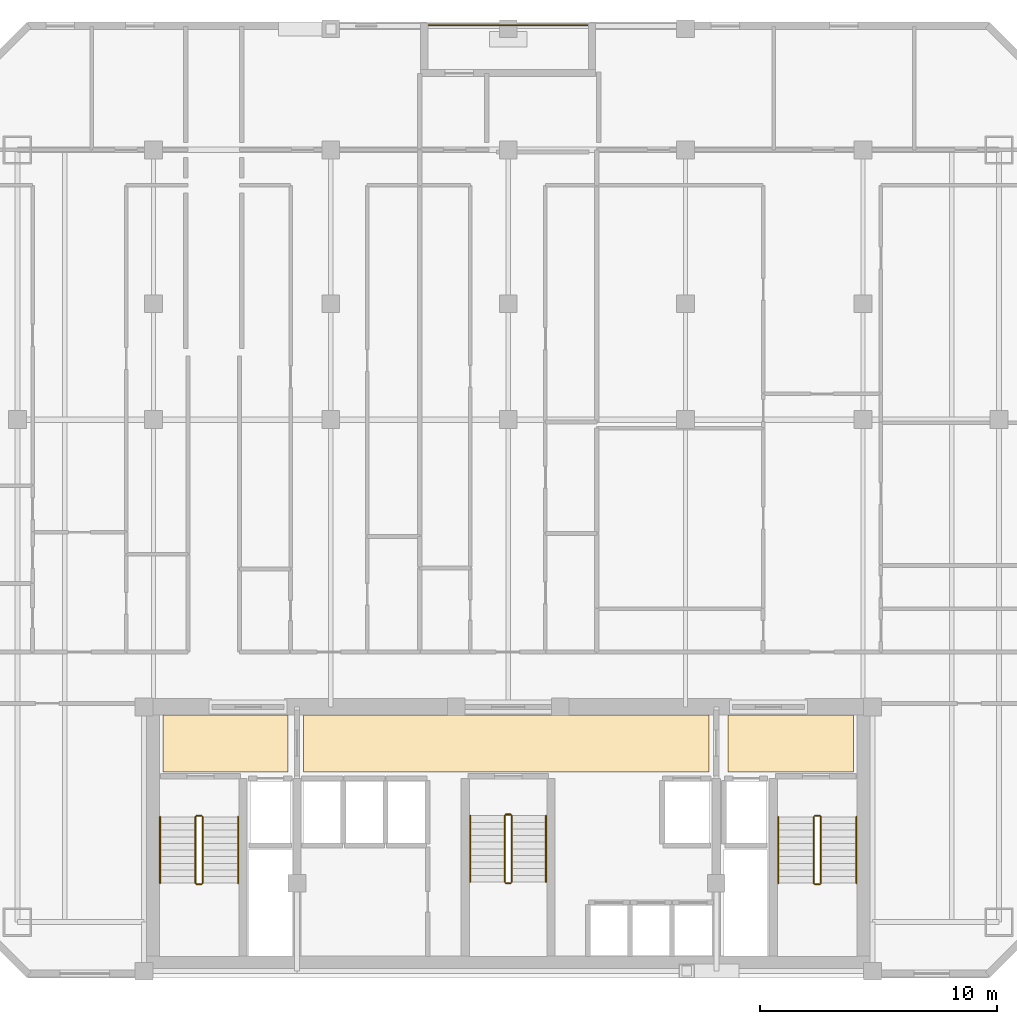
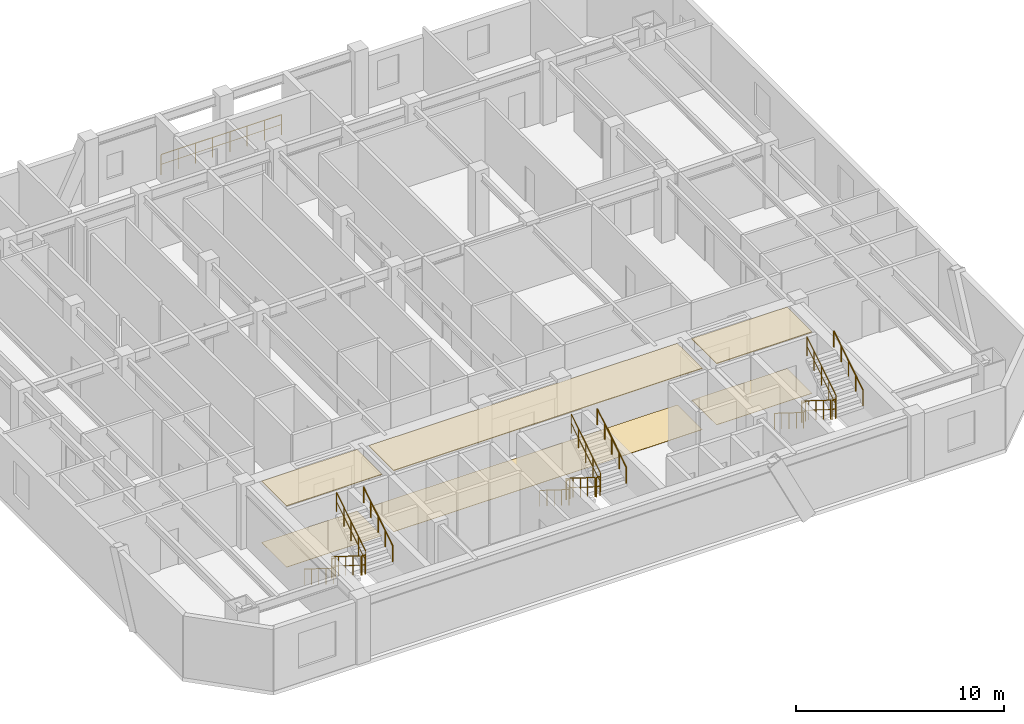
# One storey, part 8 of 8: 19 railings, 6 coverings.
"""IFC4 building model written with IfcOpenShell, lengths in metres."""

from ifc_helpers import new_model, si_unit, direction, frame, origin, origin_2d, place, context, subcontext, project, spatial, polyline, circle, outline, extrude, material, layer, layer_set, type_object, element, save


model = new_model("IFC4")

# Units and contexts
model_context = context("Model", 3, precision=1e-05, world=origin(), true_north=direction((0.0, 1.0)))
body_context = subcontext(model_context, "Body", "Model", "MODEL_VIEW")
ifc_project = project(units=[si_unit("LENGTHUNIT", "METRE"), si_unit("AREAUNIT", "SQUARE_METRE"), si_unit("VOLUMEUNIT", "CUBIC_METRE"), si_unit("PLANEANGLEUNIT", "RADIAN"), si_unit("MASSUNIT", "GRAM", prefix="KILO")], contexts=[model_context])

# Site, building, storey
site_placement = place(None, origin())
site = spatial("IfcSite", under=ifc_project, at=site_placement, CompositionType="ELEMENT")
building_placement = place(site_placement, origin())
building = spatial("IfcBuilding", under=site, at=building_placement, Name="Ventersveld Concourse Tower", CompositionType="ELEMENT")
storey_placement = place(building_placement, frame((0.0, 0.0, 168.300048828125)))
storey = spatial("IfcBuildingStorey", under=building, at=storey_placement, Name="L41", CompositionType="ELEMENT", Elevation=168.300048828125)

# Coverings
ifc_material_1 = material(Name="Mineral-fibre acoustic ceiling tile", Category="gypsum")
ifc_layer_1 = layer(ifc_material_1, 0.0400390625)
ifc_layer_set_1 = layer_set([ifc_layer_1], Name="Mineral-fibre acoustic ceiling tile")
covering_type_1 = type_object("IfcCoveringType", Name="COV-CEIL-ACOUSTIC", PredefinedType="CEILING", material=ifc_layer_set_1)
covering_1_placement = place(storey_placement, frame((0.0, 0.0, 3.58984375)))
element("IfcCovering", 1, at=covering_1_placement, inside=storey, type_object=covering_type_1, Name="L41 North Lift Lobby Acoustic Ceiling", PredefinedType="CEILING", context=body_context, shape_type="SweptSolid", body=[
    extrude(outline(polyline([(20.10009765625, 8.699951171875), (37.25, 8.699951171875), (37.25, 11.10009765625), (20.10009765625, 11.10009765625), (20.10009765625, 8.699951171875)])), origin(), (0.0, 0.0, 1.0), 0.0400390625),
])
covering_2_placement = place(storey_placement, frame((0.0, 0.0, 3.58984375)))
element("IfcCovering", 2, at=covering_2_placement, inside=storey, type_object=covering_type_1, Name="L41 West Firefighting Lobby Acoustic Ceiling", PredefinedType="CEILING", context=body_context, shape_type="SweptSolid", body=[
    extrude(outline(polyline([(14.14990234375, 8.699951171875), (19.449951171875, 8.699951171875), (19.449951171875, 11.10009765625), (14.14990234375, 11.10009765625), (14.14990234375, 8.699951171875)])), origin(), (0.0, 0.0, 1.0), 0.0400390625),
])
covering_3_placement = place(storey_placement, frame((0.0, 0.0, 3.58984375)))
element("IfcCovering", 3, at=covering_3_placement, inside=storey, type_object=covering_type_1, Name="L41 East Firefighting Lobby Acoustic Ceiling", PredefinedType="CEILING", context=body_context, shape_type="SweptSolid", body=[
    extrude(outline(polyline([(38.050048828125, 8.699951171875), (43.35009765625, 8.699951171875), (43.35009765625, 11.10009765625), (38.050048828125, 11.10009765625), (38.050048828125, 8.699951171875)])), origin(), (0.0, 0.0, 1.0), 0.0400390625),
])
ifc_material_2 = material(Name="Polished Highveld granite terrazzo", Category="masonry")
ifc_layer_2 = layer(ifc_material_2, 0.02001953125)
ifc_layer_set_2 = layer_set([ifc_layer_2], Name="Polished Highveld granite terrazzo")
covering_type_2 = type_object("IfcCoveringType", Name="COV-FLOOR-TERRAZZO", PredefinedType="FLOORING", material=ifc_layer_set_2)
covering_4_placement = place(storey_placement, origin())
element("IfcCovering", 4, at=covering_4_placement, inside=storey, type_object=covering_type_2, Name="L41 North Lift Lobby Terrazzo Flooring", PredefinedType="FLOORING", context=body_context, shape_type="SweptSolid", body=[
    extrude(outline(polyline([(20.10009765625, 8.699951171875), (37.25, 8.699951171875), (37.25, 11.10009765625), (20.10009765625, 11.10009765625), (20.10009765625, 8.699951171875)])), origin(), (0.0, 0.0, 1.0), 0.02001953125),
])
covering_5_placement = place(storey_placement, origin())
element("IfcCovering", 5, at=covering_5_placement, inside=storey, type_object=covering_type_2, Name="L41 West Firefighting Lobby Terrazzo Flooring", PredefinedType="FLOORING", context=body_context, shape_type="SweptSolid", body=[
    extrude(outline(polyline([(14.14990234375, 8.699951171875), (19.449951171875, 8.699951171875), (19.449951171875, 11.10009765625), (14.14990234375, 11.10009765625), (14.14990234375, 8.699951171875)])), origin(), (0.0, 0.0, 1.0), 0.02001953125),
])
covering_6_placement = place(storey_placement, origin())
element("IfcCovering", 6, at=covering_6_placement, inside=storey, type_object=covering_type_2, Name="L41 East Firefighting Lobby Terrazzo Flooring", PredefinedType="FLOORING", context=body_context, shape_type="SweptSolid", body=[
    extrude(outline(polyline([(38.050048828125, 8.699951171875), (43.35009765625, 8.699951171875), (43.35009765625, 11.10009765625), (38.050048828125, 11.10009765625), (38.050048828125, 8.699951171875)])), origin(), (0.0, 0.0, 1.0), 0.02001953125),
])

# Railings
ifc_material_3 = material(Name="Brushed stainless steel 316", Category="steel")
railing_type_1 = type_object("IfcRailingType", Name="GD-BAL-115", PredefinedType="GUARDRAIL", material=ifc_material_3)
railing_1_placement = place(storey_placement, frame((15.530029296875, 6.800048828125, 0.175048828125)))
element("IfcRailing", 7, at=railing_1_placement, inside=storey, type_object=railing_type_1, Name="L41 ST-01 stair guard 1", PredefinedType="GUARDRAIL", context=body_context, shape_type="SweptSolid", body=[
    extrude(circle(Radius=0.02392578125, at=origin_2d()), frame((0.0, 0.0, 1.1259765625), z_axis=(0.0, -0.848002457836, 0.529992293815), x_axis=(1.0, 0.0, 0.0)), (0.0, 0.0, 1.0), 3.302001953125),
    extrude(circle(Radius=0.01611328125, at=origin_2d()), frame((0.0, 0.0, 0.574951171875), z_axis=(0.0, -0.848002457836, 0.529992293815), x_axis=(1.0, 0.0, 0.0)), (0.0, 0.0, 1.0), 3.302001953125),
    extrude(circle(Radius=0.02099609375, at=origin_2d()), origin(), (0.0, 0.0, 1.0), 1.101806640625),
    extrude(circle(Radius=0.02099609375, at=origin_2d()), frame((0.0, -0.699951171875, 0.4375)), (0.0, 0.0, 1.0), 1.101806640625),
    extrude(circle(Radius=0.02099609375, at=origin_2d()), frame((0.0, -1.39990234375, 0.875)), (0.0, 0.0, 1.0), 1.101806640625),
    extrude(circle(Radius=0.02099609375, at=origin_2d()), frame((0.0, -2.10009765625, 1.3125)), (0.0, 0.0, 1.0), 1.101806640625),
    extrude(circle(Radius=0.02099609375, at=origin_2d()), frame((0.0, -2.800048828125, 1.75)), (0.0, 0.0, 1.0), 1.101806640625),
])
railing_2_placement = place(storey_placement, frame((15.580078125, 3.949951171875, 1.925048828125)))
element("IfcRailing", 8, at=railing_2_placement, inside=storey, type_object=railing_type_1, Name="L41 ST-01 stair guard 2", PredefinedType="GUARDRAIL", context=body_context, shape_type="SweptSolid", body=[
    extrude(circle(Radius=0.02392578125, at=origin_2d()), frame((0.0, 0.0, 1.1259765625), z_axis=(1.0, 0.0, 0.0), x_axis=(0.0, 1.0, 0.0)), (0.0, 0.0, 1.0), 0.199951171875),
    extrude(circle(Radius=0.01611328125, at=origin_2d()), frame((0.0, 0.0, 0.574951171875), z_axis=(1.0, 0.0, 0.0), x_axis=(0.0, 1.0, 0.0)), (0.0, 0.0, 1.0), 0.199951171875),
    extrude(circle(Radius=0.02099609375, at=origin_2d()), origin(), (0.0, 0.0, 1.0), 1.101806640625),
    extrude(circle(Radius=0.02099609375, at=origin_2d()), frame((0.199951171875, 0.0, 0.0)), (0.0, 0.0, 1.0), 1.101806640625),
])
railing_3_placement = place(storey_placement, frame((15.830078125, 4.0, 2.099853515625)))
element("IfcRailing", 9, at=railing_3_placement, inside=storey, type_object=railing_type_1, Name="L41 ST-01 stair guard 3", PredefinedType="GUARDRAIL", context=body_context, shape_type="SweptSolid", body=[
    extrude(circle(Radius=0.02392578125, at=origin_2d()), frame((0.0, 0.0, 1.1259765625), z_axis=(0.0, 0.848002457836, 0.529992293815), x_axis=(-1.0, 0.0, 0.0)), (0.0, 0.0, 1.0), 3.302001953125),
    extrude(circle(Radius=0.01611328125, at=origin_2d()), frame((0.0, 0.0, 0.574951171875), z_axis=(0.0, 0.848002457836, 0.529992293815), x_axis=(-1.0, 0.0, 0.0)), (0.0, 0.0, 1.0), 3.302001953125),
    extrude(circle(Radius=0.02099609375, at=origin_2d()), origin(), (0.0, 0.0, 1.0), 1.101806640625),
    extrude(circle(Radius=0.02099609375, at=origin_2d()), frame((0.0, 0.699951171875, 0.4375)), (0.0, 0.0, 1.0), 1.101806640625),
    extrude(circle(Radius=0.02099609375, at=origin_2d()), frame((0.0, 1.39990234375, 0.875)), (0.0, 0.0, 1.0), 1.101806640625),
    extrude(circle(Radius=0.02099609375, at=origin_2d()), frame((0.0, 2.10009765625, 1.3125)), (0.0, 0.0, 1.0), 1.101806640625),
    extrude(circle(Radius=0.02099609375, at=origin_2d()), frame((0.0, 2.800048828125, 1.75)), (0.0, 0.0, 1.0), 1.101806640625),
])
railing_4_placement = place(storey_placement, frame((15.580078125, 6.85009765625, 0.0)))
element("IfcRailing", 10, at=railing_4_placement, inside=storey, type_object=railing_type_1, Name="L41 ST-01 stair guard 4", PredefinedType="GUARDRAIL", context=body_context, shape_type="SweptSolid", body=[
    extrude(circle(Radius=0.02392578125, at=origin_2d()), frame((0.0, 0.0, 1.1259765625), z_axis=(1.0, 0.0, 0.0), x_axis=(0.0, 1.0, 0.0)), (0.0, 0.0, 1.0), 0.199951171875),
    extrude(circle(Radius=0.01611328125, at=origin_2d()), frame((0.0, 0.0, 0.574951171875), z_axis=(1.0, 0.0, 0.0), x_axis=(0.0, 1.0, 0.0)), (0.0, 0.0, 1.0), 0.199951171875),
    extrude(circle(Radius=0.02099609375, at=origin_2d()), origin(), (0.0, 0.0, 1.0), 1.101806640625),
    extrude(circle(Radius=0.02099609375, at=origin_2d()), frame((0.199951171875, 0.0, 0.0)), (0.0, 0.0, 1.0), 1.101806640625),
])
railing_5_placement = place(storey_placement, frame((41.669921875, 6.800048828125, 0.175048828125)))
element("IfcRailing", 11, at=railing_5_placement, inside=storey, type_object=railing_type_1, Name="L41 ST-02 stair guard 1", PredefinedType="GUARDRAIL", context=body_context, shape_type="SweptSolid", body=[
    extrude(circle(Radius=0.02392578125, at=origin_2d()), frame((0.0, 0.0, 1.1259765625), z_axis=(0.0, -0.848002457836, 0.529992293815), x_axis=(1.0, 0.0, 0.0)), (0.0, 0.0, 1.0), 3.302001953125),
    extrude(circle(Radius=0.01611328125, at=origin_2d()), frame((0.0, 0.0, 0.574951171875), z_axis=(0.0, -0.848002457836, 0.529992293815), x_axis=(1.0, 0.0, 0.0)), (0.0, 0.0, 1.0), 3.302001953125),
    extrude(circle(Radius=0.02099609375, at=origin_2d()), origin(), (0.0, 0.0, 1.0), 1.101806640625),
    extrude(circle(Radius=0.02099609375, at=origin_2d()), frame((0.0, -0.699951171875, 0.4375)), (0.0, 0.0, 1.0), 1.101806640625),
    extrude(circle(Radius=0.02099609375, at=origin_2d()), frame((0.0, -1.39990234375, 0.875)), (0.0, 0.0, 1.0), 1.101806640625),
    extrude(circle(Radius=0.02099609375, at=origin_2d()), frame((0.0, -2.10009765625, 1.3125)), (0.0, 0.0, 1.0), 1.101806640625),
    extrude(circle(Radius=0.02099609375, at=origin_2d()), frame((0.0, -2.800048828125, 1.75)), (0.0, 0.0, 1.0), 1.101806640625),
])
railing_6_placement = place(storey_placement, frame((41.719970703125, 3.949951171875, 1.925048828125)))
element("IfcRailing", 12, at=railing_6_placement, inside=storey, type_object=railing_type_1, Name="L41 ST-02 stair guard 2", PredefinedType="GUARDRAIL", context=body_context, shape_type="SweptSolid", body=[
    extrude(circle(Radius=0.02392578125, at=origin_2d()), frame((0.0, 0.0, 1.1259765625), z_axis=(1.0, 0.0, 0.0), x_axis=(0.0, 1.0, 0.0)), (0.0, 0.0, 1.0), 0.199951171875),
    extrude(circle(Radius=0.01611328125, at=origin_2d()), frame((0.0, 0.0, 0.574951171875), z_axis=(1.0, 0.0, 0.0), x_axis=(0.0, 1.0, 0.0)), (0.0, 0.0, 1.0), 0.199951171875),
    extrude(circle(Radius=0.02099609375, at=origin_2d()), origin(), (0.0, 0.0, 1.0), 1.101806640625),
    extrude(circle(Radius=0.02099609375, at=origin_2d()), frame((0.199951171875, 0.0, 0.0)), (0.0, 0.0, 1.0), 1.101806640625),
])
railing_7_placement = place(storey_placement, frame((41.969970703125, 4.0, 2.099853515625)))
element("IfcRailing", 13, at=railing_7_placement, inside=storey, type_object=railing_type_1, Name="L41 ST-02 stair guard 3", PredefinedType="GUARDRAIL", context=body_context, shape_type="SweptSolid", body=[
    extrude(circle(Radius=0.02392578125, at=origin_2d()), frame((0.0, 0.0, 1.1259765625), z_axis=(0.0, 0.848002457836, 0.529992293815), x_axis=(-1.0, 0.0, 0.0)), (0.0, 0.0, 1.0), 3.302001953125),
    extrude(circle(Radius=0.01611328125, at=origin_2d()), frame((0.0, 0.0, 0.574951171875), z_axis=(0.0, 0.848002457836, 0.529992293815), x_axis=(-1.0, 0.0, 0.0)), (0.0, 0.0, 1.0), 3.302001953125),
    extrude(circle(Radius=0.02099609375, at=origin_2d()), origin(), (0.0, 0.0, 1.0), 1.101806640625),
    extrude(circle(Radius=0.02099609375, at=origin_2d()), frame((0.0, 0.699951171875, 0.4375)), (0.0, 0.0, 1.0), 1.101806640625),
    extrude(circle(Radius=0.02099609375, at=origin_2d()), frame((0.0, 1.39990234375, 0.875)), (0.0, 0.0, 1.0), 1.101806640625),
    extrude(circle(Radius=0.02099609375, at=origin_2d()), frame((0.0, 2.10009765625, 1.3125)), (0.0, 0.0, 1.0), 1.101806640625),
    extrude(circle(Radius=0.02099609375, at=origin_2d()), frame((0.0, 2.800048828125, 1.75)), (0.0, 0.0, 1.0), 1.101806640625),
])
railing_8_placement = place(storey_placement, frame((41.719970703125, 6.85009765625, 0.0)))
element("IfcRailing", 14, at=railing_8_placement, inside=storey, type_object=railing_type_1, Name="L41 ST-02 stair guard 4", PredefinedType="GUARDRAIL", context=body_context, shape_type="SweptSolid", body=[
    extrude(circle(Radius=0.02392578125, at=origin_2d()), frame((0.0, 0.0, 1.1259765625), z_axis=(1.0, 0.0, 0.0), x_axis=(0.0, 1.0, 0.0)), (0.0, 0.0, 1.0), 0.199951171875),
    extrude(circle(Radius=0.01611328125, at=origin_2d()), frame((0.0, 0.0, 0.574951171875), z_axis=(1.0, 0.0, 0.0), x_axis=(0.0, 1.0, 0.0)), (0.0, 0.0, 1.0), 0.199951171875),
    extrude(circle(Radius=0.02099609375, at=origin_2d()), origin(), (0.0, 0.0, 1.0), 1.101806640625),
    extrude(circle(Radius=0.02099609375, at=origin_2d()), frame((0.199951171875, 0.0, 0.0)), (0.0, 0.0, 1.0), 1.101806640625),
])
railing_9_placement = place(storey_placement, frame((28.60009765625, 6.85009765625, 0.175048828125)))
element("IfcRailing", 15, at=railing_9_placement, inside=storey, type_object=railing_type_1, Name="L41 ST-03 stair guard 1", PredefinedType="GUARDRAIL", context=body_context, shape_type="SweptSolid", body=[
    extrude(circle(Radius=0.02392578125, at=origin_2d()), frame((0.0, 0.0, 1.1259765625), z_axis=(0.0, -0.848002457836, 0.529992293815), x_axis=(1.0, 0.0, 0.0)), (0.0, 0.0, 1.0), 3.302001953125),
    extrude(circle(Radius=0.01611328125, at=origin_2d()), frame((0.0, 0.0, 0.574951171875), z_axis=(0.0, -0.848002457836, 0.529992293815), x_axis=(1.0, 0.0, 0.0)), (0.0, 0.0, 1.0), 3.302001953125),
    extrude(circle(Radius=0.02099609375, at=origin_2d()), origin(), (0.0, 0.0, 1.0), 1.101806640625),
    extrude(circle(Radius=0.02099609375, at=origin_2d()), frame((0.0, -0.699951171875, 0.4375)), (0.0, 0.0, 1.0), 1.101806640625),
    extrude(circle(Radius=0.02099609375, at=origin_2d()), frame((0.0, -1.39990234375, 0.875)), (0.0, 0.0, 1.0), 1.101806640625),
    extrude(circle(Radius=0.02099609375, at=origin_2d()), frame((0.0, -2.10009765625, 1.3125)), (0.0, 0.0, 1.0), 1.101806640625),
    extrude(circle(Radius=0.02099609375, at=origin_2d()), frame((0.0, -2.800048828125, 1.75)), (0.0, 0.0, 1.0), 1.101806640625),
])
railing_10_placement = place(storey_placement, frame((28.64990234375, 4.0, 1.925048828125)))
element("IfcRailing", 16, at=railing_10_placement, inside=storey, type_object=railing_type_1, Name="L41 ST-03 stair guard 2", PredefinedType="GUARDRAIL", context=body_context, shape_type="SweptSolid", body=[
    extrude(circle(Radius=0.02392578125, at=origin_2d()), frame((0.0, 0.0, 1.1259765625), z_axis=(1.0, 0.0, 0.0), x_axis=(0.0, 1.0, 0.0)), (0.0, 0.0, 1.0), 0.2001953125),
    extrude(circle(Radius=0.01611328125, at=origin_2d()), frame((0.0, 0.0, 0.574951171875), z_axis=(1.0, 0.0, 0.0), x_axis=(0.0, 1.0, 0.0)), (0.0, 0.0, 1.0), 0.2001953125),
    extrude(circle(Radius=0.02099609375, at=origin_2d()), origin(), (0.0, 0.0, 1.0), 1.101806640625),
    extrude(circle(Radius=0.02099609375, at=origin_2d()), frame((0.2001953125, 0.0, 0.0)), (0.0, 0.0, 1.0), 1.101806640625),
])
railing_11_placement = place(storey_placement, frame((28.89990234375, 4.050048828125, 2.099853515625)))
element("IfcRailing", 17, at=railing_11_placement, inside=storey, type_object=railing_type_1, Name="L41 ST-03 stair guard 3", PredefinedType="GUARDRAIL", context=body_context, shape_type="SweptSolid", body=[
    extrude(circle(Radius=0.02392578125, at=origin_2d()), frame((0.0, 0.0, 1.1259765625), z_axis=(0.0, 0.848002457836, 0.529992293815), x_axis=(-1.0, 0.0, 0.0)), (0.0, 0.0, 1.0), 3.302001953125),
    extrude(circle(Radius=0.01611328125, at=origin_2d()), frame((0.0, 0.0, 0.574951171875), z_axis=(0.0, 0.848002457836, 0.529992293815), x_axis=(-1.0, 0.0, 0.0)), (0.0, 0.0, 1.0), 3.302001953125),
    extrude(circle(Radius=0.02099609375, at=origin_2d()), origin(), (0.0, 0.0, 1.0), 1.101806640625),
    extrude(circle(Radius=0.02099609375, at=origin_2d()), frame((0.0, 0.699951171875, 0.4375)), (0.0, 0.0, 1.0), 1.101806640625),
    extrude(circle(Radius=0.02099609375, at=origin_2d()), frame((0.0, 1.39990234375, 0.875)), (0.0, 0.0, 1.0), 1.101806640625),
    extrude(circle(Radius=0.02099609375, at=origin_2d()), frame((0.0, 2.10009765625, 1.3125)), (0.0, 0.0, 1.0), 1.101806640625),
    extrude(circle(Radius=0.02099609375, at=origin_2d()), frame((0.0, 2.800048828125, 1.75)), (0.0, 0.0, 1.0), 1.101806640625),
])
railing_12_placement = place(storey_placement, frame((28.64990234375, 6.89990234375, 0.0)))
element("IfcRailing", 18, at=railing_12_placement, inside=storey, type_object=railing_type_1, Name="L41 ST-03 stair guard 4", PredefinedType="GUARDRAIL", context=body_context, shape_type="SweptSolid", body=[
    extrude(circle(Radius=0.02392578125, at=origin_2d()), frame((0.0, 0.0, 1.1259765625), z_axis=(1.0, 0.0, 0.0), x_axis=(0.0, 1.0, 0.0)), (0.0, 0.0, 1.0), 0.2001953125),
    extrude(circle(Radius=0.01611328125, at=origin_2d()), frame((0.0, 0.0, 0.574951171875), z_axis=(1.0, 0.0, 0.0), x_axis=(0.0, 1.0, 0.0)), (0.0, 0.0, 1.0), 0.2001953125),
    extrude(circle(Radius=0.02099609375, at=origin_2d()), origin(), (0.0, 0.0, 1.0), 1.101806640625),
    extrude(circle(Radius=0.02099609375, at=origin_2d()), frame((0.2001953125, 0.0, 0.0)), (0.0, 0.0, 1.0), 1.101806640625),
])
railing_type_2 = type_object("IfcRailingType", Name="GD-TER-120", PredefinedType="GUARDRAIL", material=ifc_material_3)
railing_13_placement = place(storey_placement, frame((25.39990234375, 40.280029296875, 0.0)))
element("IfcRailing", 19, at=railing_13_placement, inside=storey, type_object=railing_type_2, Name="L41 Outdoor Terrace Guardrail NOTCH-N", PredefinedType="GUARDRAIL", context=body_context, shape_type="SweptSolid", body=[
    extrude(circle(Radius=0.02392578125, at=origin_2d()), frame((0.0, 0.0, 1.17578125), z_axis=(1.0, 0.0, 0.0), x_axis=(0.0, 1.0, 0.0)), (0.0, 0.0, 1.0), 6.7001953125),
    extrude(circle(Radius=0.01611328125, at=origin_2d()), frame((0.0, 0.0, 0.60009765625), z_axis=(1.0, 0.0, 0.0), x_axis=(0.0, 1.0, 0.0)), (0.0, 0.0, 1.0), 6.7001953125),
    extrude(circle(Radius=0.02099609375, at=origin_2d()), origin(), (0.0, 0.0, 1.0), 1.15185546875),
    extrude(circle(Radius=0.02099609375, at=origin_2d()), frame((0.957275390625, 0.0, 0.0)), (0.0, 0.0, 1.0), 1.15185546875),
    extrude(circle(Radius=0.02099609375, at=origin_2d()), frame((1.914306640625, 0.0, 0.0)), (0.0, 0.0, 1.0), 1.15185546875),
    extrude(circle(Radius=0.02099609375, at=origin_2d()), frame((2.87158203125, 0.0, 0.0)), (0.0, 0.0, 1.0), 1.15185546875),
    extrude(circle(Radius=0.02099609375, at=origin_2d()), frame((3.82861328125, 0.0, 0.0)), (0.0, 0.0, 1.0), 1.15185546875),
    extrude(circle(Radius=0.02099609375, at=origin_2d()), frame((4.785888671875, 0.0, 0.0)), (0.0, 0.0, 1.0), 1.15185546875),
    extrude(circle(Radius=0.02099609375, at=origin_2d()), frame((5.742919921875, 0.0, 0.0)), (0.0, 0.0, 1.0), 1.15185546875),
    extrude(circle(Radius=0.02099609375, at=origin_2d()), frame((6.7001953125, 0.0, 0.0)), (0.0, 0.0, 1.0), 1.15185546875),
])
railing_type_3 = type_object("IfcRailingType", Name="HR-RMP-095", PredefinedType="HANDRAIL", material=ifc_material_3)
railing_14_placement = place(storey_placement, frame((14.030029296875, 6.800048828125, 0.175048828125)))
element("IfcRailing", 20, at=railing_14_placement, inside=storey, type_object=railing_type_3, Name="L41 ST-01 stair handrail 1", PredefinedType="HANDRAIL", context=body_context, shape_type="SweptSolid", body=[
    extrude(circle(Radius=0.02392578125, at=origin_2d()), frame((0.0, 0.0, 0.92578125), z_axis=(0.0, -0.848002457836, 0.529992293815), x_axis=(1.0, 0.0, 0.0)), (0.0, 0.0, 1.0), 3.302001953125),
    extrude(circle(Radius=0.02099609375, at=origin_2d()), origin(), (0.0, 0.0, 1.0), 0.90185546875),
    extrude(circle(Radius=0.02099609375, at=origin_2d()), frame((0.0, -0.699951171875, 0.4375)), (0.0, 0.0, 1.0), 0.90185546875),
    extrude(circle(Radius=0.02099609375, at=origin_2d()), frame((0.0, -1.39990234375, 0.875)), (0.0, 0.0, 1.0), 0.90185546875),
    extrude(circle(Radius=0.02099609375, at=origin_2d()), frame((0.0, -2.10009765625, 1.3125)), (0.0, 0.0, 1.0), 0.90185546875),
    extrude(circle(Radius=0.02099609375, at=origin_2d()), frame((0.0, -2.800048828125, 1.75)), (0.0, 0.0, 1.0), 0.90185546875),
])
railing_15_placement = place(storey_placement, frame((17.330078125, 4.0, 2.099853515625)))
element("IfcRailing", 21, at=railing_15_placement, inside=storey, type_object=railing_type_3, Name="L41 ST-01 stair handrail 2", PredefinedType="HANDRAIL", context=body_context, shape_type="SweptSolid", body=[
    extrude(circle(Radius=0.02392578125, at=origin_2d()), frame((0.0, 0.0, 0.92578125), z_axis=(0.0, 0.848002457836, 0.529992293815), x_axis=(-1.0, 0.0, 0.0)), (0.0, 0.0, 1.0), 3.302001953125),
    extrude(circle(Radius=0.02099609375, at=origin_2d()), origin(), (0.0, 0.0, 1.0), 0.90185546875),
    extrude(circle(Radius=0.02099609375, at=origin_2d()), frame((0.0, 0.699951171875, 0.4375)), (0.0, 0.0, 1.0), 0.90185546875),
    extrude(circle(Radius=0.02099609375, at=origin_2d()), frame((0.0, 1.39990234375, 0.875)), (0.0, 0.0, 1.0), 0.90185546875),
    extrude(circle(Radius=0.02099609375, at=origin_2d()), frame((0.0, 2.10009765625, 1.3125)), (0.0, 0.0, 1.0), 0.90185546875),
    extrude(circle(Radius=0.02099609375, at=origin_2d()), frame((0.0, 2.800048828125, 1.75)), (0.0, 0.0, 1.0), 0.90185546875),
])
railing_16_placement = place(storey_placement, frame((40.169921875, 6.800048828125, 0.175048828125)))
element("IfcRailing", 22, at=railing_16_placement, inside=storey, type_object=railing_type_3, Name="L41 ST-02 stair handrail 1", PredefinedType="HANDRAIL", context=body_context, shape_type="SweptSolid", body=[
    extrude(circle(Radius=0.02392578125, at=origin_2d()), frame((0.0, 0.0, 0.92578125), z_axis=(0.0, -0.848002457836, 0.529992293815), x_axis=(1.0, 0.0, 0.0)), (0.0, 0.0, 1.0), 3.302001953125),
    extrude(circle(Radius=0.02099609375, at=origin_2d()), origin(), (0.0, 0.0, 1.0), 0.90185546875),
    extrude(circle(Radius=0.02099609375, at=origin_2d()), frame((0.0, -0.699951171875, 0.4375)), (0.0, 0.0, 1.0), 0.90185546875),
    extrude(circle(Radius=0.02099609375, at=origin_2d()), frame((0.0, -1.39990234375, 0.875)), (0.0, 0.0, 1.0), 0.90185546875),
    extrude(circle(Radius=0.02099609375, at=origin_2d()), frame((0.0, -2.10009765625, 1.3125)), (0.0, 0.0, 1.0), 0.90185546875),
    extrude(circle(Radius=0.02099609375, at=origin_2d()), frame((0.0, -2.800048828125, 1.75)), (0.0, 0.0, 1.0), 0.90185546875),
])
railing_17_placement = place(storey_placement, frame((43.469970703125, 4.0, 2.099853515625)))
element("IfcRailing", 23, at=railing_17_placement, inside=storey, type_object=railing_type_3, Name="L41 ST-02 stair handrail 2", PredefinedType="HANDRAIL", context=body_context, shape_type="SweptSolid", body=[
    extrude(circle(Radius=0.02392578125, at=origin_2d()), frame((0.0, 0.0, 0.92578125), z_axis=(0.0, 0.848002457836, 0.529992293815), x_axis=(-1.0, 0.0, 0.0)), (0.0, 0.0, 1.0), 3.302001953125),
    extrude(circle(Radius=0.02099609375, at=origin_2d()), origin(), (0.0, 0.0, 1.0), 0.90185546875),
    extrude(circle(Radius=0.02099609375, at=origin_2d()), frame((0.0, 0.699951171875, 0.4375)), (0.0, 0.0, 1.0), 0.90185546875),
    extrude(circle(Radius=0.02099609375, at=origin_2d()), frame((0.0, 1.39990234375, 0.875)), (0.0, 0.0, 1.0), 0.90185546875),
    extrude(circle(Radius=0.02099609375, at=origin_2d()), frame((0.0, 2.10009765625, 1.3125)), (0.0, 0.0, 1.0), 0.90185546875),
    extrude(circle(Radius=0.02099609375, at=origin_2d()), frame((0.0, 2.800048828125, 1.75)), (0.0, 0.0, 1.0), 0.90185546875),
])
railing_18_placement = place(storey_placement, frame((27.14990234375, 6.85009765625, 0.175048828125)))
element("IfcRailing", 24, at=railing_18_placement, inside=storey, type_object=railing_type_3, Name="L41 ST-03 stair handrail 1", PredefinedType="HANDRAIL", context=body_context, shape_type="SweptSolid", body=[
    extrude(circle(Radius=0.02392578125, at=origin_2d()), frame((0.0, 0.0, 0.92578125), z_axis=(0.0, -0.848002457836, 0.529992293815), x_axis=(1.0, 0.0, 0.0)), (0.0, 0.0, 1.0), 3.302001953125),
    extrude(circle(Radius=0.02099609375, at=origin_2d()), origin(), (0.0, 0.0, 1.0), 0.90185546875),
    extrude(circle(Radius=0.02099609375, at=origin_2d()), frame((0.0, -0.699951171875, 0.4375)), (0.0, 0.0, 1.0), 0.90185546875),
    extrude(circle(Radius=0.02099609375, at=origin_2d()), frame((0.0, -1.39990234375, 0.875)), (0.0, 0.0, 1.0), 0.90185546875),
    extrude(circle(Radius=0.02099609375, at=origin_2d()), frame((0.0, -2.10009765625, 1.3125)), (0.0, 0.0, 1.0), 0.90185546875),
    extrude(circle(Radius=0.02099609375, at=origin_2d()), frame((0.0, -2.800048828125, 1.75)), (0.0, 0.0, 1.0), 0.90185546875),
])
railing_19_placement = place(storey_placement, frame((30.35009765625, 4.050048828125, 2.099853515625)))
element("IfcRailing", 25, at=railing_19_placement, inside=storey, type_object=railing_type_3, Name="L41 ST-03 stair handrail 2", PredefinedType="HANDRAIL", context=body_context, shape_type="SweptSolid", body=[
    extrude(circle(Radius=0.02392578125, at=origin_2d()), frame((0.0, 0.0, 0.92578125), z_axis=(0.0, 0.848002457836, 0.529992293815), x_axis=(-1.0, 0.0, 0.0)), (0.0, 0.0, 1.0), 3.302001953125),
    extrude(circle(Radius=0.02099609375, at=origin_2d()), origin(), (0.0, 0.0, 1.0), 0.90185546875),
    extrude(circle(Radius=0.02099609375, at=origin_2d()), frame((0.0, 0.699951171875, 0.4375)), (0.0, 0.0, 1.0), 0.90185546875),
    extrude(circle(Radius=0.02099609375, at=origin_2d()), frame((0.0, 1.39990234375, 0.875)), (0.0, 0.0, 1.0), 0.90185546875),
    extrude(circle(Radius=0.02099609375, at=origin_2d()), frame((0.0, 2.10009765625, 1.3125)), (0.0, 0.0, 1.0), 0.90185546875),
    extrude(circle(Radius=0.02099609375, at=origin_2d()), frame((0.0, 2.800048828125, 1.75)), (0.0, 0.0, 1.0), 0.90185546875),
])

save(model, "model.ifc")
